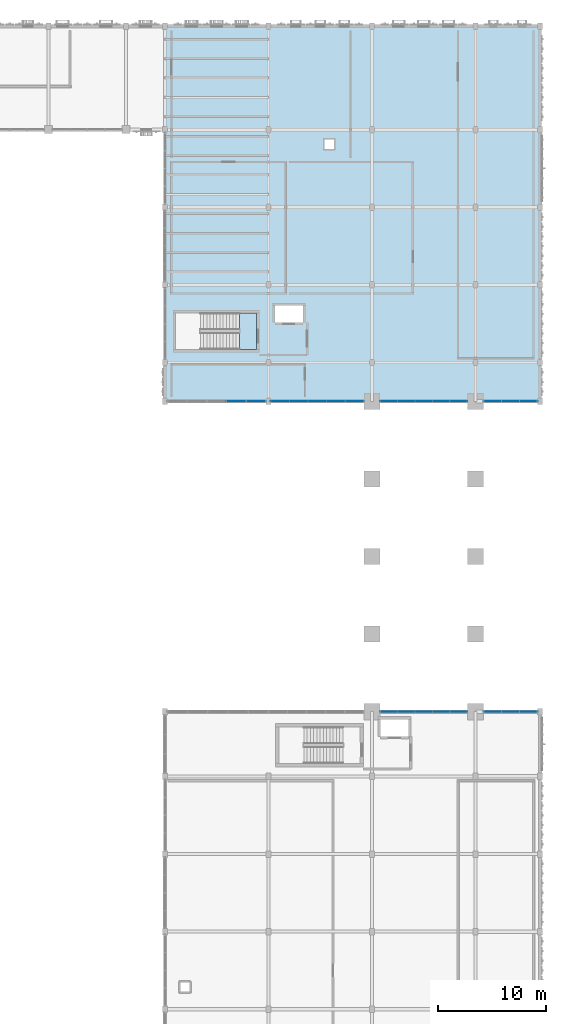
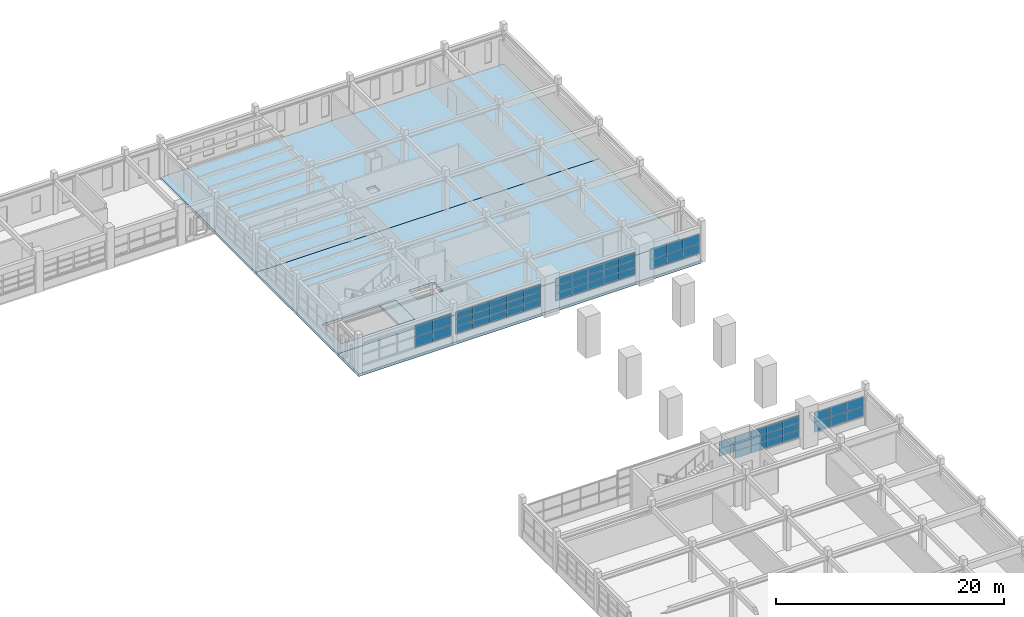
# One storey, part 41 of 69: 60 plates, 4 slabs, 6 elements without a shape of their own.
"""IFC4 building model written with IfcOpenShell, lengths in metres."""

from ifc_helpers import new_model, si_unit, direction, frame, origin, origin_2d, place, context, subcontext, project, spatial, polyline, rectangle, outline, extrude, material, layer, layer_set, type_object, element, aggregate, save


model = new_model("IFC4")

# Units and contexts
model_context = context("Model", 3, precision=1e-05, world=origin(), true_north=direction((0.0, 1.0)))
body_context = subcontext(model_context, "Body", "Model", "MODEL_VIEW")
ifc_project = project(units=[si_unit("LENGTHUNIT", "METRE"), si_unit("AREAUNIT", "SQUARE_METRE"), si_unit("VOLUMEUNIT", "CUBIC_METRE"), si_unit("PLANEANGLEUNIT", "RADIAN"), si_unit("MASSUNIT", "GRAM", prefix="KILO")], contexts=[model_context])

# Site, building, storey
site_placement = place(None, origin())
site = spatial("IfcSite", under=ifc_project, at=site_placement, CompositionType="ELEMENT")
building_placement = place(site_placement, origin())
building = spatial("IfcBuilding", under=site, at=building_placement, Name="Nzembalo Square Collegiate School", CompositionType="ELEMENT")
storey_placement = place(building_placement, frame((0.0, 0.0, 5.10009765625)))
storey = spatial("IfcBuildingStorey", under=building, at=storey_placement, Name="L01", CompositionType="ELEMENT", Elevation=5.10009765625)

# Curtain wall, plates
ifc_material_1 = material(Name="Aluminium 6060-T66", Category="aluminium")
curtain_wall_type_1 = type_object("IfcCurtainWallType", Name="CW-10", PredefinedType="USERDEFINED", material=ifc_material_1)
curtain_wall_1_placement = place(storey_placement, origin())
curtain_wall_1 = element("IfcCurtainWall", 1, at=curtain_wall_1_placement, inside=storey, type_object=curtain_wall_type_1, Name="Curtain wall CW-10 cw:L01:061", ObjectType="UNITISED", PredefinedType="USERDEFINED")
ifc_material_2 = material(Name="Laminated solar-control double glazing", Category="glass")
ifc_layer_1 = layer(ifc_material_2, 0.028076171875, Name="Laminated solar-control double glazing")
ifc_layer_set_1 = layer_set([ifc_layer_1], Name="Laminated solar-control double glazing")
plate_type_1 = type_object("IfcPlateType", Name="PN01", PredefinedType="CURTAIN_PANEL", material=ifc_layer_set_1)
plate_1_placement = place(storey_placement, frame((153.180908203125, 50.39990234375, 0.85400390625), z_axis=(0.0, 0.0, 1.0), x_axis=(1.0, 0.0, 0.0)))
plate_1 = element("IfcPlate", 2, at=plate_1_placement, type_object=plate_type_1, Name="PN01 glazed panel 1-2", PredefinedType="CURTAIN_PANEL", context=body_context, shape_type="SweptSolid", body=[
    extrude(rectangle(XDim=1.611083984375, YDim=0.028076171875, at=origin_2d()), origin(), (0.0, 0.0, 1.0), 0.7900390625),
])
plate_2_placement = place(storey_placement, frame((154.800048828125, 50.39990234375, 0.85400390625), z_axis=(0.0, 0.0, 1.0), x_axis=(1.0, 0.0, 0.0)))
plate_2 = element("IfcPlate", 3, at=plate_2_placement, type_object=plate_type_1, Name="PN01 glazed panel 1-3", PredefinedType="CURTAIN_PANEL", context=body_context, shape_type="SweptSolid", body=[
    extrude(rectangle(XDim=1.611083984375, YDim=0.028076171875, at=origin_2d()), origin(), (0.0, 0.0, 1.0), 0.7900390625),
])
plate_3_placement = place(storey_placement, frame((156.419189453125, 50.39990234375, 0.85400390625), z_axis=(0.0, 0.0, 1.0), x_axis=(1.0, 0.0, 0.0)))
plate_3 = element("IfcPlate", 4, at=plate_3_placement, type_object=plate_type_1, Name="PN01 glazed panel 1-4", PredefinedType="CURTAIN_PANEL", context=body_context, shape_type="SweptSolid", body=[
    extrude(rectangle(XDim=1.611083984375, YDim=0.028076171875, at=origin_2d()), origin(), (0.0, 0.0, 1.0), 0.7900390625),
])
plate_4_placement = place(storey_placement, frame((158.038330078125, 50.39990234375, 0.85400390625), z_axis=(0.0, 0.0, 1.0), x_axis=(1.0, 0.0, 0.0)))
plate_4 = element("IfcPlate", 5, at=plate_4_placement, type_object=plate_type_1, Name="PN01 glazed panel 1-5", PredefinedType="CURTAIN_PANEL", context=body_context, shape_type="SweptSolid", body=[
    extrude(rectangle(XDim=1.611083984375, YDim=0.028076171875, at=origin_2d()), origin(), (0.0, 0.0, 1.0), 0.7900390625),
])
plate_5_placement = place(storey_placement, frame((151.5615234375, 50.39990234375, 1.65185546875), z_axis=(0.0, 0.0, 1.0), x_axis=(1.0, 0.0, 0.0)))
plate_5 = element("IfcPlate", 6, at=plate_5_placement, type_object=plate_type_1, Name="PN01 glazed panel 2-1", PredefinedType="CURTAIN_PANEL", context=body_context, shape_type="SweptSolid", body=[
    extrude(rectangle(XDim=1.611083984375, YDim=0.028076171875, at=origin_2d()), origin(), (0.0, 0.0, 1.0), 0.7900390625),
])
plate_6_placement = place(storey_placement, frame((153.180908203125, 50.39990234375, 1.65185546875), z_axis=(0.0, 0.0, 1.0), x_axis=(1.0, 0.0, 0.0)))
plate_6 = element("IfcPlate", 7, at=plate_6_placement, type_object=plate_type_1, Name="PN01 glazed panel 2-2", PredefinedType="CURTAIN_PANEL", context=body_context, shape_type="SweptSolid", body=[
    extrude(rectangle(XDim=1.611083984375, YDim=0.028076171875, at=origin_2d()), origin(), (0.0, 0.0, 1.0), 0.7900390625),
])
plate_7_placement = place(storey_placement, frame((154.800048828125, 50.39990234375, 1.65185546875), z_axis=(0.0, 0.0, 1.0), x_axis=(1.0, 0.0, 0.0)))
plate_7 = element("IfcPlate", 8, at=plate_7_placement, type_object=plate_type_1, Name="PN01 glazed panel 2-3", PredefinedType="CURTAIN_PANEL", context=body_context, shape_type="SweptSolid", body=[
    extrude(rectangle(XDim=1.611083984375, YDim=0.028076171875, at=origin_2d()), origin(), (0.0, 0.0, 1.0), 0.7900390625),
])
plate_8_placement = place(storey_placement, frame((156.419189453125, 50.39990234375, 1.65185546875), z_axis=(0.0, 0.0, 1.0), x_axis=(1.0, 0.0, 0.0)))
plate_8 = element("IfcPlate", 9, at=plate_8_placement, type_object=plate_type_1, Name="PN01 glazed panel 2-4", PredefinedType="CURTAIN_PANEL", context=body_context, shape_type="SweptSolid", body=[
    extrude(rectangle(XDim=1.611083984375, YDim=0.028076171875, at=origin_2d()), origin(), (0.0, 0.0, 1.0), 0.7900390625),
])
plate_9_placement = place(storey_placement, frame((158.038330078125, 50.39990234375, 1.65185546875), z_axis=(0.0, 0.0, 1.0), x_axis=(1.0, 0.0, 0.0)))
plate_9 = element("IfcPlate", 10, at=plate_9_placement, type_object=plate_type_1, Name="PN01 glazed panel 2-5", PredefinedType="CURTAIN_PANEL", context=body_context, shape_type="SweptSolid", body=[
    extrude(rectangle(XDim=1.611083984375, YDim=0.028076171875, at=origin_2d()), origin(), (0.0, 0.0, 1.0), 0.7900390625),
])
plate_10_placement = place(storey_placement, frame((151.5615234375, 50.39990234375, 2.449951171875), z_axis=(0.0, 0.0, 1.0), x_axis=(1.0, 0.0, 0.0)))
plate_10 = element("IfcPlate", 11, at=plate_10_placement, type_object=plate_type_1, Name="PN01 glazed panel 3-1", PredefinedType="CURTAIN_PANEL", context=body_context, shape_type="SweptSolid", body=[
    extrude(rectangle(XDim=1.611083984375, YDim=0.028076171875, at=origin_2d()), origin(), (0.0, 0.0, 1.0), 0.7900390625),
])
plate_11_placement = place(storey_placement, frame((153.180908203125, 50.39990234375, 2.449951171875), z_axis=(0.0, 0.0, 1.0), x_axis=(1.0, 0.0, 0.0)))
plate_11 = element("IfcPlate", 12, at=plate_11_placement, type_object=plate_type_1, Name="PN01 glazed panel 3-2", PredefinedType="CURTAIN_PANEL", context=body_context, shape_type="SweptSolid", body=[
    extrude(rectangle(XDim=1.611083984375, YDim=0.028076171875, at=origin_2d()), origin(), (0.0, 0.0, 1.0), 0.7900390625),
])
plate_12_placement = place(storey_placement, frame((154.800048828125, 50.39990234375, 2.449951171875), z_axis=(0.0, 0.0, 1.0), x_axis=(1.0, 0.0, 0.0)))
plate_12 = element("IfcPlate", 13, at=plate_12_placement, type_object=plate_type_1, Name="PN01 glazed panel 3-3", PredefinedType="CURTAIN_PANEL", context=body_context, shape_type="SweptSolid", body=[
    extrude(rectangle(XDim=1.611083984375, YDim=0.028076171875, at=origin_2d()), origin(), (0.0, 0.0, 1.0), 0.7900390625),
])
plate_13_placement = place(storey_placement, frame((156.419189453125, 50.39990234375, 2.449951171875), z_axis=(0.0, 0.0, 1.0), x_axis=(1.0, 0.0, 0.0)))
plate_13 = element("IfcPlate", 14, at=plate_13_placement, type_object=plate_type_1, Name="PN01 glazed panel 3-4", PredefinedType="CURTAIN_PANEL", context=body_context, shape_type="SweptSolid", body=[
    extrude(rectangle(XDim=1.611083984375, YDim=0.028076171875, at=origin_2d()), origin(), (0.0, 0.0, 1.0), 0.7900390625),
])
plate_14_placement = place(storey_placement, frame((158.038330078125, 50.39990234375, 2.449951171875), z_axis=(0.0, 0.0, 1.0), x_axis=(1.0, 0.0, 0.0)))
plate_14 = element("IfcPlate", 15, at=plate_14_placement, type_object=plate_type_1, Name="PN01 glazed panel 3-5", PredefinedType="CURTAIN_PANEL", context=body_context, shape_type="SweptSolid", body=[
    extrude(rectangle(XDim=1.611083984375, YDim=0.028076171875, at=origin_2d()), origin(), (0.0, 0.0, 1.0), 0.7900390625),
])
aggregate(curtain_wall_1, [plate_1, plate_2, plate_3, plate_4, plate_5, plate_6, plate_7, plate_8, plate_9, plate_10, plate_11, plate_12, plate_13, plate_14])

ifc_material_3 = material(Name="Aluminium 6060-T66", Category="aluminium")
curtain_wall_type_2 = type_object("IfcCurtainWallType", Name="CW-09", PredefinedType="USERDEFINED", material=ifc_material_3)
curtain_wall_2_placement = place(storey_placement, origin())
curtain_wall_2 = element("IfcCurtainWall", 16, at=curtain_wall_2_placement, inside=storey, type_object=curtain_wall_type_2, Name="Curtain wall CW-09 cw:L01:068", ObjectType="UNITISED", PredefinedType="USERDEFINED")
plate_15_placement = place(storey_placement, frame((141.489013671875, 79.199951171875, 0.85400390625), z_axis=(0.0, 0.0, 1.0), x_axis=(1.0, 0.0, 0.0)))
plate_15 = element("IfcPlate", 17, at=plate_15_placement, type_object=plate_type_1, Name="PN01 glazed panel 1-1", PredefinedType="CURTAIN_PANEL", context=body_context, shape_type="SweptSolid", body=[
    extrude(rectangle(XDim=1.71630859375, YDim=0.028076171875, at=origin_2d()), origin(), (0.0, 0.0, 1.0), 0.77001953125),
])
plate_16_placement = place(storey_placement, frame((143.21337890625, 79.199951171875, 0.85400390625), z_axis=(0.0, 0.0, 1.0), x_axis=(1.0, 0.0, 0.0)))
plate_16 = element("IfcPlate", 18, at=plate_16_placement, type_object=plate_type_1, Name="PN01 glazed panel 1-2", PredefinedType="CURTAIN_PANEL", context=body_context, shape_type="SweptSolid", body=[
    extrude(rectangle(XDim=1.71630859375, YDim=0.028076171875, at=origin_2d()), origin(), (0.0, 0.0, 1.0), 0.77001953125),
])
plate_17_placement = place(storey_placement, frame((144.9375, 79.199951171875, 0.85400390625), z_axis=(0.0, 0.0, 1.0), x_axis=(1.0, 0.0, 0.0)))
plate_17 = element("IfcPlate", 19, at=plate_17_placement, type_object=plate_type_1, Name="PN01 glazed panel 1-3", PredefinedType="CURTAIN_PANEL", context=body_context, shape_type="SweptSolid", body=[
    extrude(rectangle(XDim=1.71630859375, YDim=0.028076171875, at=origin_2d()), origin(), (0.0, 0.0, 1.0), 0.77001953125),
])
plate_18_placement = place(storey_placement, frame((146.66162109375, 79.199951171875, 0.85400390625), z_axis=(0.0, 0.0, 1.0), x_axis=(1.0, 0.0, 0.0)))
plate_18 = element("IfcPlate", 20, at=plate_18_placement, type_object=plate_type_1, Name="PN01 glazed panel 1-4", PredefinedType="CURTAIN_PANEL", context=body_context, shape_type="SweptSolid", body=[
    extrude(rectangle(XDim=1.71630859375, YDim=0.028076171875, at=origin_2d()), origin(), (0.0, 0.0, 1.0), 0.77001953125),
])
plate_19_placement = place(storey_placement, frame((148.385986328125, 79.199951171875, 0.85400390625), z_axis=(0.0, 0.0, 1.0), x_axis=(1.0, 0.0, 0.0)))
plate_19 = element("IfcPlate", 21, at=plate_19_placement, type_object=plate_type_1, Name="PN01 glazed panel 1-5", PredefinedType="CURTAIN_PANEL", context=body_context, shape_type="SweptSolid", body=[
    extrude(rectangle(XDim=1.71630859375, YDim=0.028076171875, at=origin_2d()), origin(), (0.0, 0.0, 1.0), 0.77001953125),
])
plate_20_placement = place(storey_placement, frame((141.489013671875, 79.199951171875, 1.6318359375), z_axis=(0.0, 0.0, 1.0), x_axis=(1.0, 0.0, 0.0)))
plate_20 = element("IfcPlate", 22, at=plate_20_placement, type_object=plate_type_1, Name="PN01 glazed panel 2-1", PredefinedType="CURTAIN_PANEL", context=body_context, shape_type="SweptSolid", body=[
    extrude(rectangle(XDim=1.71630859375, YDim=0.028076171875, at=origin_2d()), origin(), (0.0, 0.0, 1.0), 0.77001953125),
])
plate_21_placement = place(storey_placement, frame((143.21337890625, 79.199951171875, 1.6318359375), z_axis=(0.0, 0.0, 1.0), x_axis=(1.0, 0.0, 0.0)))
plate_21 = element("IfcPlate", 23, at=plate_21_placement, type_object=plate_type_1, Name="PN01 glazed panel 2-2", PredefinedType="CURTAIN_PANEL", context=body_context, shape_type="SweptSolid", body=[
    extrude(rectangle(XDim=1.71630859375, YDim=0.028076171875, at=origin_2d()), origin(), (0.0, 0.0, 1.0), 0.77001953125),
])
plate_22_placement = place(storey_placement, frame((144.9375, 79.199951171875, 1.6318359375), z_axis=(0.0, 0.0, 1.0), x_axis=(1.0, 0.0, 0.0)))
plate_22 = element("IfcPlate", 24, at=plate_22_placement, type_object=plate_type_1, Name="PN01 glazed panel 2-3", PredefinedType="CURTAIN_PANEL", context=body_context, shape_type="SweptSolid", body=[
    extrude(rectangle(XDim=1.71630859375, YDim=0.028076171875, at=origin_2d()), origin(), (0.0, 0.0, 1.0), 0.77001953125),
])
plate_23_placement = place(storey_placement, frame((146.66162109375, 79.199951171875, 1.6318359375), z_axis=(0.0, 0.0, 1.0), x_axis=(1.0, 0.0, 0.0)))
plate_23 = element("IfcPlate", 25, at=plate_23_placement, type_object=plate_type_1, Name="PN01 glazed panel 2-4", PredefinedType="CURTAIN_PANEL", context=body_context, shape_type="SweptSolid", body=[
    extrude(rectangle(XDim=1.71630859375, YDim=0.028076171875, at=origin_2d()), origin(), (0.0, 0.0, 1.0), 0.77001953125),
])
plate_24_placement = place(storey_placement, frame((148.385986328125, 79.199951171875, 1.6318359375), z_axis=(0.0, 0.0, 1.0), x_axis=(1.0, 0.0, 0.0)))
plate_24 = element("IfcPlate", 26, at=plate_24_placement, type_object=plate_type_1, Name="PN01 glazed panel 2-5", PredefinedType="CURTAIN_PANEL", context=body_context, shape_type="SweptSolid", body=[
    extrude(rectangle(XDim=1.71630859375, YDim=0.028076171875, at=origin_2d()), origin(), (0.0, 0.0, 1.0), 0.77001953125),
])
plate_25_placement = place(storey_placement, frame((141.489013671875, 79.199951171875, 2.409912109375), z_axis=(0.0, 0.0, 1.0), x_axis=(1.0, 0.0, 0.0)))
plate_25 = element("IfcPlate", 27, at=plate_25_placement, type_object=plate_type_1, Name="PN01 glazed panel 3-1", PredefinedType="CURTAIN_PANEL", context=body_context, shape_type="SweptSolid", body=[
    extrude(rectangle(XDim=1.71630859375, YDim=0.028076171875, at=origin_2d()), origin(), (0.0, 0.0, 1.0), 0.77001953125),
])
plate_26_placement = place(storey_placement, frame((143.21337890625, 79.199951171875, 2.409912109375), z_axis=(0.0, 0.0, 1.0), x_axis=(1.0, 0.0, 0.0)))
plate_26 = element("IfcPlate", 28, at=plate_26_placement, type_object=plate_type_1, Name="PN01 glazed panel 3-2", PredefinedType="CURTAIN_PANEL", context=body_context, shape_type="SweptSolid", body=[
    extrude(rectangle(XDim=1.71630859375, YDim=0.028076171875, at=origin_2d()), origin(), (0.0, 0.0, 1.0), 0.77001953125),
])
plate_27_placement = place(storey_placement, frame((144.9375, 79.199951171875, 2.409912109375), z_axis=(0.0, 0.0, 1.0), x_axis=(1.0, 0.0, 0.0)))
plate_27 = element("IfcPlate", 29, at=plate_27_placement, type_object=plate_type_1, Name="PN01 glazed panel 3-3", PredefinedType="CURTAIN_PANEL", context=body_context, shape_type="SweptSolid", body=[
    extrude(rectangle(XDim=1.71630859375, YDim=0.028076171875, at=origin_2d()), origin(), (0.0, 0.0, 1.0), 0.77001953125),
])
plate_28_placement = place(storey_placement, frame((146.66162109375, 79.199951171875, 2.409912109375), z_axis=(0.0, 0.0, 1.0), x_axis=(1.0, 0.0, 0.0)))
plate_28 = element("IfcPlate", 30, at=plate_28_placement, type_object=plate_type_1, Name="PN01 glazed panel 3-4", PredefinedType="CURTAIN_PANEL", context=body_context, shape_type="SweptSolid", body=[
    extrude(rectangle(XDim=1.71630859375, YDim=0.028076171875, at=origin_2d()), origin(), (0.0, 0.0, 1.0), 0.77001953125),
])
plate_29_placement = place(storey_placement, frame((148.385986328125, 79.199951171875, 2.409912109375), z_axis=(0.0, 0.0, 1.0), x_axis=(1.0, 0.0, 0.0)))
plate_29 = element("IfcPlate", 31, at=plate_29_placement, type_object=plate_type_1, Name="PN01 glazed panel 3-5", PredefinedType="CURTAIN_PANEL", context=body_context, shape_type="SweptSolid", body=[
    extrude(rectangle(XDim=1.71630859375, YDim=0.028076171875, at=origin_2d()), origin(), (0.0, 0.0, 1.0), 0.77001953125),
])
aggregate(curtain_wall_2, [plate_15, plate_16, plate_17, plate_18, plate_19, plate_20, plate_21, plate_22, plate_23, plate_24, plate_25, plate_26, plate_27, plate_28, plate_29])

curtain_wall_3_placement = place(storey_placement, origin())
curtain_wall_3 = element("IfcCurtainWall", 32, at=curtain_wall_3_placement, inside=storey, type_object=curtain_wall_type_1, Name="Curtain wall CW-10 cw:L01:069", ObjectType="UNITISED", PredefinedType="USERDEFINED")
plate_30_placement = place(storey_placement, frame((151.5615234375, 79.199951171875, 0.85400390625), z_axis=(0.0, 0.0, 1.0), x_axis=(1.0, 0.0, 0.0)))
plate_30 = element("IfcPlate", 33, at=plate_30_placement, type_object=plate_type_1, Name="PN01 glazed panel 1-1", PredefinedType="CURTAIN_PANEL", context=body_context, shape_type="SweptSolid", body=[
    extrude(rectangle(XDim=1.611083984375, YDim=0.028076171875, at=origin_2d()), origin(), (0.0, 0.0, 1.0), 0.7900390625),
])
plate_31_placement = place(storey_placement, frame((153.180908203125, 79.199951171875, 0.85400390625), z_axis=(0.0, 0.0, 1.0), x_axis=(1.0, 0.0, 0.0)))
plate_31 = element("IfcPlate", 34, at=plate_31_placement, type_object=plate_type_1, Name="PN01 glazed panel 1-2", PredefinedType="CURTAIN_PANEL", context=body_context, shape_type="SweptSolid", body=[
    extrude(rectangle(XDim=1.611083984375, YDim=0.028076171875, at=origin_2d()), origin(), (0.0, 0.0, 1.0), 0.7900390625),
])
plate_32_placement = place(storey_placement, frame((154.800048828125, 79.199951171875, 0.85400390625), z_axis=(0.0, 0.0, 1.0), x_axis=(1.0, 0.0, 0.0)))
plate_32 = element("IfcPlate", 35, at=plate_32_placement, type_object=plate_type_1, Name="PN01 glazed panel 1-3", PredefinedType="CURTAIN_PANEL", context=body_context, shape_type="SweptSolid", body=[
    extrude(rectangle(XDim=1.611083984375, YDim=0.028076171875, at=origin_2d()), origin(), (0.0, 0.0, 1.0), 0.7900390625),
])
plate_33_placement = place(storey_placement, frame((156.419189453125, 79.199951171875, 0.85400390625), z_axis=(0.0, 0.0, 1.0), x_axis=(1.0, 0.0, 0.0)))
plate_33 = element("IfcPlate", 36, at=plate_33_placement, type_object=plate_type_1, Name="PN01 glazed panel 1-4", PredefinedType="CURTAIN_PANEL", context=body_context, shape_type="SweptSolid", body=[
    extrude(rectangle(XDim=1.611083984375, YDim=0.028076171875, at=origin_2d()), origin(), (0.0, 0.0, 1.0), 0.7900390625),
])
plate_34_placement = place(storey_placement, frame((158.038330078125, 79.199951171875, 0.85400390625), z_axis=(0.0, 0.0, 1.0), x_axis=(1.0, 0.0, 0.0)))
plate_34 = element("IfcPlate", 37, at=plate_34_placement, type_object=plate_type_1, Name="PN01 glazed panel 1-5", PredefinedType="CURTAIN_PANEL", context=body_context, shape_type="SweptSolid", body=[
    extrude(rectangle(XDim=1.611083984375, YDim=0.028076171875, at=origin_2d()), origin(), (0.0, 0.0, 1.0), 0.7900390625),
])
plate_35_placement = place(storey_placement, frame((151.5615234375, 79.199951171875, 1.65185546875), z_axis=(0.0, 0.0, 1.0), x_axis=(1.0, 0.0, 0.0)))
plate_35 = element("IfcPlate", 38, at=plate_35_placement, type_object=plate_type_1, Name="PN01 glazed panel 2-1", PredefinedType="CURTAIN_PANEL", context=body_context, shape_type="SweptSolid", body=[
    extrude(rectangle(XDim=1.611083984375, YDim=0.028076171875, at=origin_2d()), origin(), (0.0, 0.0, 1.0), 0.7900390625),
])
plate_36_placement = place(storey_placement, frame((153.180908203125, 79.199951171875, 1.65185546875), z_axis=(0.0, 0.0, 1.0), x_axis=(1.0, 0.0, 0.0)))
plate_36 = element("IfcPlate", 39, at=plate_36_placement, type_object=plate_type_1, Name="PN01 glazed panel 2-2", PredefinedType="CURTAIN_PANEL", context=body_context, shape_type="SweptSolid", body=[
    extrude(rectangle(XDim=1.611083984375, YDim=0.028076171875, at=origin_2d()), origin(), (0.0, 0.0, 1.0), 0.7900390625),
])
plate_37_placement = place(storey_placement, frame((154.800048828125, 79.199951171875, 1.65185546875), z_axis=(0.0, 0.0, 1.0), x_axis=(1.0, 0.0, 0.0)))
plate_37 = element("IfcPlate", 40, at=plate_37_placement, type_object=plate_type_1, Name="PN01 glazed panel 2-3", PredefinedType="CURTAIN_PANEL", context=body_context, shape_type="SweptSolid", body=[
    extrude(rectangle(XDim=1.611083984375, YDim=0.028076171875, at=origin_2d()), origin(), (0.0, 0.0, 1.0), 0.7900390625),
])
plate_38_placement = place(storey_placement, frame((156.419189453125, 79.199951171875, 1.65185546875), z_axis=(0.0, 0.0, 1.0), x_axis=(1.0, 0.0, 0.0)))
plate_38 = element("IfcPlate", 41, at=plate_38_placement, type_object=plate_type_1, Name="PN01 glazed panel 2-4", PredefinedType="CURTAIN_PANEL", context=body_context, shape_type="SweptSolid", body=[
    extrude(rectangle(XDim=1.611083984375, YDim=0.028076171875, at=origin_2d()), origin(), (0.0, 0.0, 1.0), 0.7900390625),
])
plate_39_placement = place(storey_placement, frame((158.038330078125, 79.199951171875, 1.65185546875), z_axis=(0.0, 0.0, 1.0), x_axis=(1.0, 0.0, 0.0)))
plate_39 = element("IfcPlate", 42, at=plate_39_placement, type_object=plate_type_1, Name="PN01 glazed panel 2-5", PredefinedType="CURTAIN_PANEL", context=body_context, shape_type="SweptSolid", body=[
    extrude(rectangle(XDim=1.611083984375, YDim=0.028076171875, at=origin_2d()), origin(), (0.0, 0.0, 1.0), 0.7900390625),
])
plate_40_placement = place(storey_placement, frame((151.5615234375, 79.199951171875, 2.449951171875), z_axis=(0.0, 0.0, 1.0), x_axis=(1.0, 0.0, 0.0)))
plate_40 = element("IfcPlate", 43, at=plate_40_placement, type_object=plate_type_1, Name="PN01 glazed panel 3-1", PredefinedType="CURTAIN_PANEL", context=body_context, shape_type="SweptSolid", body=[
    extrude(rectangle(XDim=1.611083984375, YDim=0.028076171875, at=origin_2d()), origin(), (0.0, 0.0, 1.0), 0.7900390625),
])
plate_41_placement = place(storey_placement, frame((153.180908203125, 79.199951171875, 2.449951171875), z_axis=(0.0, 0.0, 1.0), x_axis=(1.0, 0.0, 0.0)))
plate_41 = element("IfcPlate", 44, at=plate_41_placement, type_object=plate_type_1, Name="PN01 glazed panel 3-2", PredefinedType="CURTAIN_PANEL", context=body_context, shape_type="SweptSolid", body=[
    extrude(rectangle(XDim=1.611083984375, YDim=0.028076171875, at=origin_2d()), origin(), (0.0, 0.0, 1.0), 0.7900390625),
])
plate_42_placement = place(storey_placement, frame((154.800048828125, 79.199951171875, 2.449951171875), z_axis=(0.0, 0.0, 1.0), x_axis=(1.0, 0.0, 0.0)))
plate_42 = element("IfcPlate", 45, at=plate_42_placement, type_object=plate_type_1, Name="PN01 glazed panel 3-3", PredefinedType="CURTAIN_PANEL", context=body_context, shape_type="SweptSolid", body=[
    extrude(rectangle(XDim=1.611083984375, YDim=0.028076171875, at=origin_2d()), origin(), (0.0, 0.0, 1.0), 0.7900390625),
])
plate_43_placement = place(storey_placement, frame((156.419189453125, 79.199951171875, 2.449951171875), z_axis=(0.0, 0.0, 1.0), x_axis=(1.0, 0.0, 0.0)))
plate_43 = element("IfcPlate", 46, at=plate_43_placement, type_object=plate_type_1, Name="PN01 glazed panel 3-4", PredefinedType="CURTAIN_PANEL", context=body_context, shape_type="SweptSolid", body=[
    extrude(rectangle(XDim=1.611083984375, YDim=0.028076171875, at=origin_2d()), origin(), (0.0, 0.0, 1.0), 0.7900390625),
])
plate_44_placement = place(storey_placement, frame((158.038330078125, 79.199951171875, 2.449951171875), z_axis=(0.0, 0.0, 1.0), x_axis=(1.0, 0.0, 0.0)))
plate_44 = element("IfcPlate", 47, at=plate_44_placement, type_object=plate_type_1, Name="PN01 glazed panel 3-5", PredefinedType="CURTAIN_PANEL", context=body_context, shape_type="SweptSolid", body=[
    extrude(rectangle(XDim=1.611083984375, YDim=0.028076171875, at=origin_2d()), origin(), (0.0, 0.0, 1.0), 0.7900390625),
])
aggregate(curtain_wall_3, [plate_30, plate_31, plate_32, plate_33, plate_34, plate_35, plate_36, plate_37, plate_38, plate_39, plate_40, plate_41, plate_42, plate_43, plate_44])

ifc_material_4 = material(Name="Aluminium 6060-T66", Category="aluminium")
curtain_wall_type_3 = type_object("IfcCurtainWallType", Name="CW-15", PredefinedType="USERDEFINED", material=ifc_material_4)
curtain_wall_4_placement = place(storey_placement, origin())
curtain_wall_4 = element("IfcCurtainWall", 48, at=curtain_wall_4_placement, inside=storey, type_object=curtain_wall_type_3, Name="Curtain wall CW-15 cw:L01:062", ObjectType="LANCET", PredefinedType="USERDEFINED")
ifc_material_5 = material(Name="Acoustic laminated solar-control glazing", Category="glass")
ifc_layer_2 = layer(ifc_material_5, 0.031982421875, Name="Acoustic laminated solar-control glazing")
ifc_layer_set_2 = layer_set([ifc_layer_2], Name="Acoustic laminated solar-control glazing")
plate_type_2 = type_object("IfcPlateType", Name="PN02", PredefinedType="CURTAIN_PANEL", material=ifc_layer_set_2)
plate_45_placement = place(storey_placement, frame((161.188720703125, 50.39990234375, 0.853759765625), z_axis=(0.0, 0.0, 1.0), x_axis=(1.0, 0.0, 0.0)))
plate_45 = element("IfcPlate", 49, at=plate_45_placement, type_object=plate_type_2, Name="PN02 glazed panel 1-1", PredefinedType="CURTAIN_PANEL", context=body_context, shape_type="SweptSolid", body=[
    extrude(rectangle(XDim=1.665771484375, YDim=0.031982421875, at=origin_2d()), origin(), (0.0, 0.0, 1.0), 1.0791015625),
])
plate_46_placement = place(storey_placement, frame((162.862548828125, 50.39990234375, 0.853759765625), z_axis=(0.0, 0.0, 1.0), x_axis=(1.0, 0.0, 0.0)))
plate_46 = element("IfcPlate", 50, at=plate_46_placement, type_object=plate_type_2, Name="PN02 glazed panel 1-2", PredefinedType="CURTAIN_PANEL", context=body_context, shape_type="SweptSolid", body=[
    extrude(rectangle(XDim=1.665771484375, YDim=0.031982421875, at=origin_2d()), origin(), (0.0, 0.0, 1.0), 1.0791015625),
])
plate_47_placement = place(storey_placement, frame((164.5361328125, 50.39990234375, 0.853759765625), z_axis=(0.0, 0.0, 1.0), x_axis=(1.0, 0.0, 0.0)))
plate_47 = element("IfcPlate", 51, at=plate_47_placement, type_object=plate_type_2, Name="PN02 glazed panel 1-3", PredefinedType="CURTAIN_PANEL", context=body_context, shape_type="SweptSolid", body=[
    extrude(rectangle(XDim=1.665771484375, YDim=0.031982421875, at=origin_2d()), origin(), (0.0, 0.0, 1.0), 1.0791015625),
])
plate_48_placement = place(storey_placement, frame((161.188720703125, 50.39990234375, 1.94091796875), z_axis=(0.0, 0.0, 1.0), x_axis=(1.0, 0.0, 0.0)))
plate_48 = element("IfcPlate", 52, at=plate_48_placement, type_object=plate_type_2, Name="PN02 glazed panel 2-1", PredefinedType="CURTAIN_PANEL", context=body_context, shape_type="SweptSolid", body=[
    extrude(rectangle(XDim=1.665771484375, YDim=0.031982421875, at=origin_2d()), origin(), (0.0, 0.0, 1.0), 1.0791015625),
])
plate_49_placement = place(storey_placement, frame((162.862548828125, 50.39990234375, 1.94091796875), z_axis=(0.0, 0.0, 1.0), x_axis=(1.0, 0.0, 0.0)))
plate_49 = element("IfcPlate", 53, at=plate_49_placement, type_object=plate_type_2, Name="PN02 glazed panel 2-2", PredefinedType="CURTAIN_PANEL", context=body_context, shape_type="SweptSolid", body=[
    extrude(rectangle(XDim=1.665771484375, YDim=0.031982421875, at=origin_2d()), origin(), (0.0, 0.0, 1.0), 1.0791015625),
])
plate_50_placement = place(storey_placement, frame((164.5361328125, 50.39990234375, 1.94091796875), z_axis=(0.0, 0.0, 1.0), x_axis=(1.0, 0.0, 0.0)))
plate_50 = element("IfcPlate", 54, at=plate_50_placement, type_object=plate_type_2, Name="PN02 glazed panel 2-3", PredefinedType="CURTAIN_PANEL", context=body_context, shape_type="SweptSolid", body=[
    extrude(rectangle(XDim=1.665771484375, YDim=0.031982421875, at=origin_2d()), origin(), (0.0, 0.0, 1.0), 1.0791015625),
])
aggregate(curtain_wall_4, [plate_45, plate_46, plate_47, plate_48, plate_49, plate_50])

ifc_material_6 = material(Name="Aluminium 6060-T66", Category="aluminium")
curtain_wall_type_4 = type_object("IfcCurtainWallType", Name="CW-12", PredefinedType="USERDEFINED", material=ifc_material_6)
curtain_wall_5_placement = place(storey_placement, origin())
curtain_wall_5 = element("IfcCurtainWall", 55, at=curtain_wall_5_placement, inside=storey, type_object=curtain_wall_type_4, Name="Curtain wall CW-12 cw:L01:067", ObjectType="LANCET", PredefinedType="USERDEFINED")
plate_51_placement = place(storey_placement, frame((137.42919921875, 79.199951171875, 0.85400390625), z_axis=(0.0, 0.0, 1.0), x_axis=(1.0, 0.0, 0.0)))
plate_51 = element("IfcPlate", 56, at=plate_51_placement, type_object=plate_type_2, Name="PN02 glazed panel 1-4", PredefinedType="CURTAIN_PANEL", context=body_context, shape_type="SweptSolid", body=[
    extrude(rectangle(XDim=1.8212890625, YDim=0.031982421875, at=origin_2d()), origin(), (0.0, 0.0, 1.0), 1.158935546875),
])
plate_52_placement = place(storey_placement, frame((139.25830078125, 79.199951171875, 0.85400390625), z_axis=(0.0, 0.0, 1.0), x_axis=(1.0, 0.0, 0.0)))
plate_52 = element("IfcPlate", 57, at=plate_52_placement, type_object=plate_type_2, Name="PN02 glazed panel 1-5", PredefinedType="CURTAIN_PANEL", context=body_context, shape_type="SweptSolid", body=[
    extrude(rectangle(XDim=1.8212890625, YDim=0.031982421875, at=origin_2d()), origin(), (0.0, 0.0, 1.0), 1.158935546875),
])
plate_53_placement = place(storey_placement, frame((137.42919921875, 79.199951171875, 2.02099609375), z_axis=(0.0, 0.0, 1.0), x_axis=(1.0, 0.0, 0.0)))
plate_53 = element("IfcPlate", 58, at=plate_53_placement, type_object=plate_type_2, Name="PN02 glazed panel 2-4", PredefinedType="CURTAIN_PANEL", context=body_context, shape_type="SweptSolid", body=[
    extrude(rectangle(XDim=1.8212890625, YDim=0.031982421875, at=origin_2d()), origin(), (0.0, 0.0, 1.0), 1.158935546875),
])
plate_54_placement = place(storey_placement, frame((139.25830078125, 79.199951171875, 2.02099609375), z_axis=(0.0, 0.0, 1.0), x_axis=(1.0, 0.0, 0.0)))
plate_54 = element("IfcPlate", 59, at=plate_54_placement, type_object=plate_type_2, Name="PN02 glazed panel 2-5", PredefinedType="CURTAIN_PANEL", context=body_context, shape_type="SweptSolid", body=[
    extrude(rectangle(XDim=1.8212890625, YDim=0.031982421875, at=origin_2d()), origin(), (0.0, 0.0, 1.0), 1.158935546875),
])
aggregate(curtain_wall_5, [plate_51, plate_52, plate_53, plate_54])

curtain_wall_6_placement = place(storey_placement, origin())
curtain_wall_6 = element("IfcCurtainWall", 60, at=curtain_wall_6_placement, inside=storey, type_object=curtain_wall_type_3, Name="Curtain wall CW-15 cw:L01:070", ObjectType="LANCET", PredefinedType="USERDEFINED")
plate_55_placement = place(storey_placement, frame((161.188720703125, 79.199951171875, 0.853759765625), z_axis=(0.0, 0.0, 1.0), x_axis=(1.0, 0.0, 0.0)))
plate_55 = element("IfcPlate", 61, at=plate_55_placement, type_object=plate_type_2, Name="PN02 glazed panel 1-1", PredefinedType="CURTAIN_PANEL", context=body_context, shape_type="SweptSolid", body=[
    extrude(rectangle(XDim=1.665771484375, YDim=0.031982421875, at=origin_2d()), origin(), (0.0, 0.0, 1.0), 1.0791015625),
])
plate_56_placement = place(storey_placement, frame((162.862548828125, 79.199951171875, 0.853759765625), z_axis=(0.0, 0.0, 1.0), x_axis=(1.0, 0.0, 0.0)))
plate_56 = element("IfcPlate", 62, at=plate_56_placement, type_object=plate_type_2, Name="PN02 glazed panel 1-2", PredefinedType="CURTAIN_PANEL", context=body_context, shape_type="SweptSolid", body=[
    extrude(rectangle(XDim=1.665771484375, YDim=0.031982421875, at=origin_2d()), origin(), (0.0, 0.0, 1.0), 1.0791015625),
])
plate_57_placement = place(storey_placement, frame((164.5361328125, 79.199951171875, 0.853759765625), z_axis=(0.0, 0.0, 1.0), x_axis=(1.0, 0.0, 0.0)))
plate_57 = element("IfcPlate", 63, at=plate_57_placement, type_object=plate_type_2, Name="PN02 glazed panel 1-3", PredefinedType="CURTAIN_PANEL", context=body_context, shape_type="SweptSolid", body=[
    extrude(rectangle(XDim=1.665771484375, YDim=0.031982421875, at=origin_2d()), origin(), (0.0, 0.0, 1.0), 1.0791015625),
])
plate_58_placement = place(storey_placement, frame((161.188720703125, 79.199951171875, 1.94091796875), z_axis=(0.0, 0.0, 1.0), x_axis=(1.0, 0.0, 0.0)))
plate_58 = element("IfcPlate", 64, at=plate_58_placement, type_object=plate_type_2, Name="PN02 glazed panel 2-1", PredefinedType="CURTAIN_PANEL", context=body_context, shape_type="SweptSolid", body=[
    extrude(rectangle(XDim=1.665771484375, YDim=0.031982421875, at=origin_2d()), origin(), (0.0, 0.0, 1.0), 1.0791015625),
])
plate_59_placement = place(storey_placement, frame((162.862548828125, 79.199951171875, 1.94091796875), z_axis=(0.0, 0.0, 1.0), x_axis=(1.0, 0.0, 0.0)))
plate_59 = element("IfcPlate", 65, at=plate_59_placement, type_object=plate_type_2, Name="PN02 glazed panel 2-2", PredefinedType="CURTAIN_PANEL", context=body_context, shape_type="SweptSolid", body=[
    extrude(rectangle(XDim=1.665771484375, YDim=0.031982421875, at=origin_2d()), origin(), (0.0, 0.0, 1.0), 1.0791015625),
])
plate_60_placement = place(storey_placement, frame((164.5361328125, 79.199951171875, 1.94091796875), z_axis=(0.0, 0.0, 1.0), x_axis=(1.0, 0.0, 0.0)))
plate_60 = element("IfcPlate", 66, at=plate_60_placement, type_object=plate_type_2, Name="PN02 glazed panel 2-3", PredefinedType="CURTAIN_PANEL", context=body_context, shape_type="SweptSolid", body=[
    extrude(rectangle(XDim=1.665771484375, YDim=0.031982421875, at=origin_2d()), origin(), (0.0, 0.0, 1.0), 1.0791015625),
])
aggregate(curtain_wall_6, [plate_55, plate_56, plate_57, plate_58, plate_59, plate_60])

# Slabs
ifc_material_7 = material(Name="Concrete C35/45", Category="concrete")
ifc_layer_3 = layer(ifc_material_7, 0.284912109375, Name="Concrete C35/45")
ifc_layer_set_3 = layer_set([ifc_layer_3], Name="Concrete C35/45")
slab_type = type_object("IfcSlabType", Name="SL-01", PredefinedType="FLOOR", material=ifc_layer_set_3)
slab_1_placement = place(storey_placement, frame((0.0, 0.0, -0.28515625)))
element("IfcSlab", 67, at=slab_1_placement, inside=storey, type_object=slab_type, Name="Slab SL-L01-46", PredefinedType="FLOOR", context=body_context, shape_type="SweptSolid", body=[
    extrude(outline(polyline([(130.800048828125, 82.800048828125), (165.60009765625, 82.800048828125), (165.60009765625, 97.199951171875), (130.800048828125, 97.199951171875), (130.800048828125, 82.800048828125)]), holes=[polyline([(141.0, 86.5), (143.60009765625, 86.5), (143.60009765625, 88.10009765625), (141.0, 88.10009765625), (141.0, 86.5)]), polyline([(139.300048828125, 87.39990234375), (131.800048828125, 87.39990234375), (131.800048828125, 84.0), (139.300048828125, 84.0), (139.300048828125, 87.39990234375)])]), origin(), (0.0, 0.0, 1.0), 0.28515625),
])
slab_2_placement = place(storey_placement, frame((0.0, 0.0, -0.28515625)))
element("IfcSlab", 68, at=slab_2_placement, inside=storey, type_object=slab_type, Name="Slab SL-L01-47", PredefinedType="FLOOR", context=body_context, shape_type="SweptSolid", body=[
    extrude(outline(polyline([(130.800048828125, 97.199951171875), (165.60009765625, 97.199951171875), (165.60009765625, 114.0), (130.800048828125, 114.0), (130.800048828125, 97.199951171875)]), holes=[polyline([(145.60009765625, 102.60009765625), (146.5, 102.60009765625), (146.5, 103.5), (145.60009765625, 103.5), (145.60009765625, 102.60009765625)])]), origin(), (0.0, 0.0, 1.0), 0.28515625),
])
slab_3_placement = place(storey_placement, frame((0.0, 0.0, -0.28515625)))
element("IfcSlab", 69, at=slab_3_placement, inside=storey, type_object=slab_type, Name="Slab SL-L01-48", PredefinedType="FLOOR", context=body_context, shape_type="SweptSolid", body=[
    extrude(outline(polyline([(130.800048828125, 79.199951171875), (165.60009765625, 79.199951171875), (165.60009765625, 82.800048828125), (130.800048828125, 82.800048828125), (130.800048828125, 79.199951171875)])), origin(), (0.0, 0.0, 1.0), 0.28515625),
])
slab_4_placement = place(storey_placement, frame((0.0, 0.0, -0.28515625)))
element("IfcSlab", 70, at=slab_4_placement, inside=storey, type_object=slab_type, Name="Core C4 floor landing slab SL-L01-C4", PredefinedType="FLOOR", context=body_context, shape_type="SweptSolid", body=[
    extrude(outline(polyline([(137.699951171875, 84.0), (139.300048828125, 84.0), (139.300048828125, 87.39990234375), (137.699951171875, 87.39990234375), (137.699951171875, 84.0)])), origin(), (0.0, 0.0, 1.0), 0.28515625),
])

save(model, "model.ifc")
